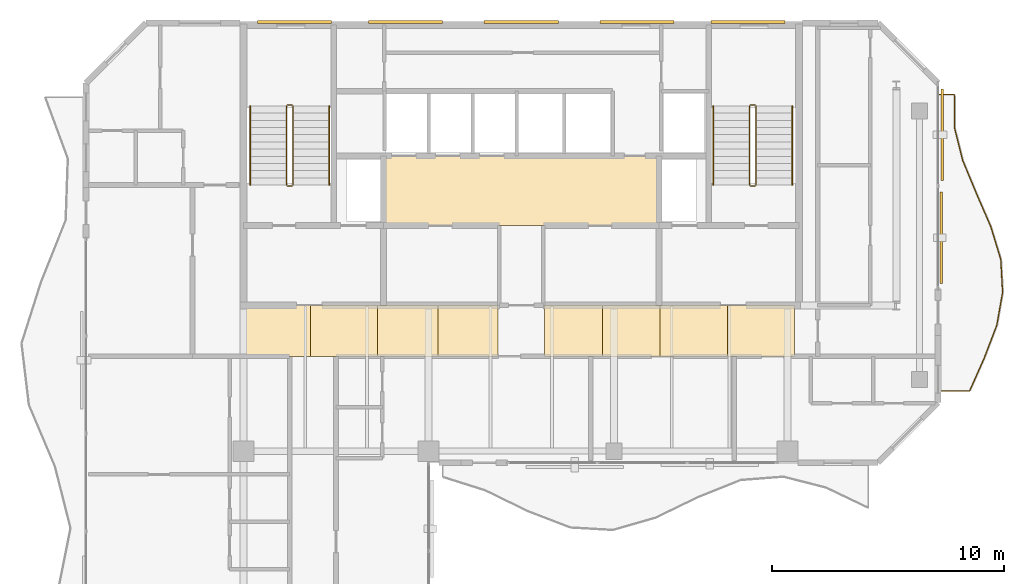
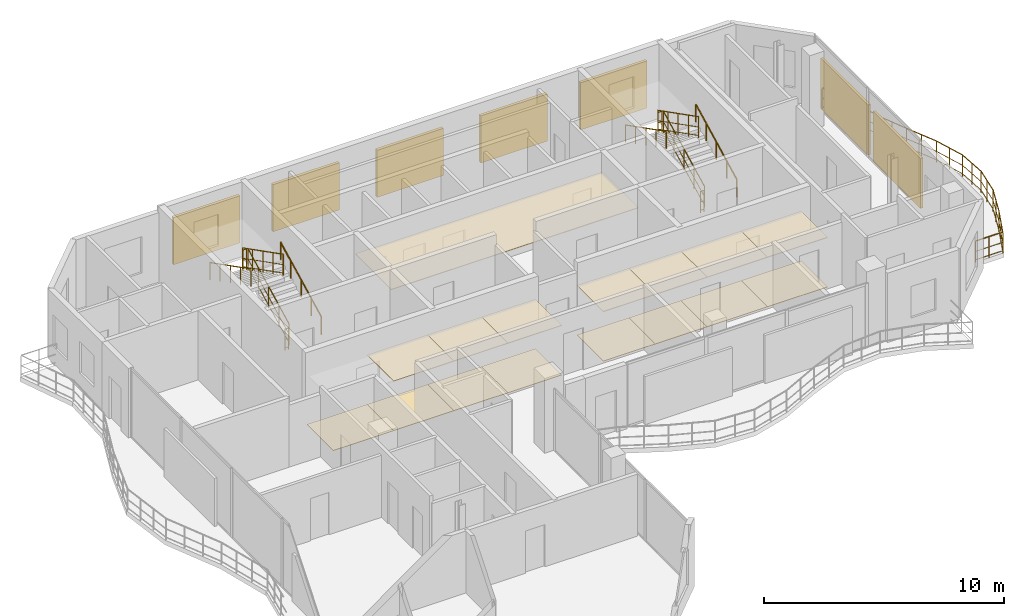
# One storey, part 17 of 17: 16 coverings, 13 railings, 7 shading devices.
"""IFC4 building model written with IfcOpenShell, lengths in metres."""

from ifc_helpers import new_model, si_unit, direction, frame, origin, origin_2d, place, context, subcontext, project, spatial, polyline, rectangle, circle, outline, extrude, material, layer, layer_set, type_object, element, save


model = new_model("IFC4")

# Units and contexts
model_context = context("Model", 3, precision=1e-05, world=origin(), true_north=direction((0.0, 1.0)))
body_context = subcontext(model_context, "Body", "Model", "MODEL_VIEW")
ifc_project = project(units=[si_unit("LENGTHUNIT", "METRE"), si_unit("AREAUNIT", "SQUARE_METRE"), si_unit("VOLUMEUNIT", "CUBIC_METRE"), si_unit("PLANEANGLEUNIT", "RADIAN"), si_unit("MASSUNIT", "GRAM", prefix="KILO")], contexts=[model_context])

# Site, building, storey
site_placement = place(None, origin())
site = spatial("IfcSite", under=ifc_project, at=site_placement, CompositionType="ELEMENT")
building_placement = place(site_placement, origin())
building = spatial("IfcBuilding", under=site, at=building_placement, Name="Catumbela Crestline Tower", CompositionType="ELEMENT")
storey_placement = place(building_placement, frame((0.0, 0.0, 267.8)))
storey = spatial("IfcBuildingStorey", under=building, at=storey_placement, Name="L69", CompositionType="ELEMENT", Elevation=267.8)

# Coverings
ifc_material_1 = material(Name="Mineral-fibre acoustic ceiling")
ifc_layer_1 = layer(ifc_material_1, 0.03, Name="Mineral-fibre acoustic ceiling")
ifc_layer_set_1 = layer_set([ifc_layer_1], Name="Mineral-fibre acoustic ceiling")
covering_type_1 = type_object("IfcCoveringType", Name="CC-AC", PredefinedType="CEILING", material=ifc_layer_set_1)
covering_1_placement = place(storey_placement, frame((0.0, 0.0, 2.65)))
element("IfcCovering", 1, at=covering_1_placement, inside=storey, type_object=covering_type_1, Name="L69 Lift Lobby Acoustic Ceiling", PredefinedType="CEILING", context=body_context, shape_type="SweptSolid", body=[
    extrude(outline(polyline([(22.05, 34.25), (33.95, 34.25), (33.95, 37.25), (22.05, 37.25), (22.05, 34.25)])), origin(), (0.0, 0.0, 1.0), 0.03),
])
covering_2_placement = place(storey_placement, frame((0.0, 0.0, 2.52)))
element("IfcCovering", 2, at=covering_2_placement, inside=storey, type_object=covering_type_1, Name="L69 Corridor Acoustic Ceiling Bay 2", PredefinedType="CEILING", context=body_context, shape_type="SweptSolid", body=[
    extrude(outline(polyline([(18.9, 28.6), (21.8, 28.6), (21.8, 30.8), (18.9, 30.8), (18.9, 28.6)])), origin(), (0.0, 0.0, 1.0), 0.03),
])
covering_3_placement = place(storey_placement, frame((0.0, 0.0, 2.52)))
element("IfcCovering", 3, at=covering_3_placement, inside=storey, type_object=covering_type_1, Name="L69 Corridor Acoustic Ceiling Bay 3", PredefinedType="CEILING", context=body_context, shape_type="SweptSolid", body=[
    extrude(outline(polyline([(21.8, 28.6), (24.4, 28.6), (24.4, 30.8), (21.8, 30.8), (21.8, 28.6)])), origin(), (0.0, 0.0, 1.0), 0.03),
])
covering_4_placement = place(storey_placement, frame((0.0, 0.0, 2.52)))
element("IfcCovering", 4, at=covering_4_placement, inside=storey, type_object=covering_type_1, Name="L69 Corridor Acoustic Ceiling Bay 4", PredefinedType="CEILING", context=body_context, shape_type="SweptSolid", body=[
    extrude(outline(polyline([(24.4, 28.6), (27.0, 28.6), (27.0, 30.8), (24.4, 30.8), (24.4, 28.6)])), origin(), (0.0, 0.0, 1.0), 0.03),
])
covering_5_placement = place(storey_placement, frame((0.0, 0.0, 2.52)))
element("IfcCovering", 5, at=covering_5_placement, inside=storey, type_object=covering_type_1, Name="L69 Corridor Acoustic Ceiling Bay 5", PredefinedType="CEILING", context=body_context, shape_type="SweptSolid", body=[
    extrude(outline(polyline([(29.0, 28.6), (31.5, 28.6), (31.5, 30.8), (29.0, 30.8), (29.0, 28.6)])), origin(), (0.0, 0.0, 1.0), 0.03),
])
covering_6_placement = place(storey_placement, frame((0.0, 0.0, 2.52)))
element("IfcCovering", 6, at=covering_6_placement, inside=storey, type_object=covering_type_1, Name="L69 Corridor Acoustic Ceiling Bay 6", PredefinedType="CEILING", context=body_context, shape_type="SweptSolid", body=[
    extrude(outline(polyline([(31.5, 28.6), (34.0, 28.6), (34.0, 30.8), (31.5, 30.8), (31.5, 28.6)])), origin(), (0.0, 0.0, 1.0), 0.03),
])
covering_7_placement = place(storey_placement, frame((0.0, 0.0, 2.52)))
element("IfcCovering", 7, at=covering_7_placement, inside=storey, type_object=covering_type_1, Name="L69 Corridor Acoustic Ceiling Bay 7", PredefinedType="CEILING", context=body_context, shape_type="SweptSolid", body=[
    extrude(outline(polyline([(34.0, 28.6), (36.9, 28.6), (36.9, 30.8), (34.0, 30.8), (34.0, 28.6)])), origin(), (0.0, 0.0, 1.0), 0.03),
])
covering_8_placement = place(storey_placement, frame((0.0, 0.0, 2.52)))
element("IfcCovering", 8, at=covering_8_placement, inside=storey, type_object=covering_type_1, Name="L69 Corridor Acoustic Ceiling Bay 8", PredefinedType="CEILING", context=body_context, shape_type="SweptSolid", body=[
    extrude(outline(polyline([(36.9, 28.6), (39.8, 28.6), (39.8, 30.8), (36.9, 30.8), (36.9, 28.6)])), origin(), (0.0, 0.0, 1.0), 0.03),
])
ifc_material_2 = material(Name="Angolan grey-ochre granite", Category="masonry")
ifc_layer_2 = layer(ifc_material_2, 0.025, Name="Angolan grey-ochre granite")
ifc_layer_set_2 = layer_set([ifc_layer_2], Name="Angolan grey-ochre granite")
covering_type_2 = type_object("IfcCoveringType", Name="CF-GR", PredefinedType="FLOORING", material=ifc_layer_set_2)
covering_9_placement = place(storey_placement, origin())
element("IfcCovering", 9, at=covering_9_placement, inside=storey, type_object=covering_type_2, Name="L69 Corridor Granite Flooring Bay 1", PredefinedType="FLOORING", context=body_context, shape_type="SweptSolid", body=[
    extrude(outline(polyline([(16.0, 28.6), (18.9, 28.6), (18.9, 30.8), (16.0, 30.8), (16.0, 28.6)])), origin(), (0.0, 0.0, 1.0), 0.025),
])
covering_10_placement = place(storey_placement, origin())
element("IfcCovering", 10, at=covering_10_placement, inside=storey, type_object=covering_type_2, Name="L69 Corridor Granite Flooring Bay 2", PredefinedType="FLOORING", context=body_context, shape_type="SweptSolid", body=[
    extrude(outline(polyline([(18.9, 28.6), (21.8, 28.6), (21.8, 30.8), (18.9, 30.8), (18.9, 28.6)])), origin(), (0.0, 0.0, 1.0), 0.025),
])
covering_11_placement = place(storey_placement, origin())
element("IfcCovering", 11, at=covering_11_placement, inside=storey, type_object=covering_type_2, Name="L69 Corridor Granite Flooring Bay 3", PredefinedType="FLOORING", context=body_context, shape_type="SweptSolid", body=[
    extrude(outline(polyline([(21.8, 28.6), (24.4, 28.6), (24.4, 30.8), (21.8, 30.8), (21.8, 28.6)])), origin(), (0.0, 0.0, 1.0), 0.025),
])
covering_12_placement = place(storey_placement, origin())
element("IfcCovering", 12, at=covering_12_placement, inside=storey, type_object=covering_type_2, Name="L69 Corridor Granite Flooring Bay 4", PredefinedType="FLOORING", context=body_context, shape_type="SweptSolid", body=[
    extrude(outline(polyline([(24.4, 28.6), (27.0, 28.6), (27.0, 30.8), (24.4, 30.8), (24.4, 28.6)])), origin(), (0.0, 0.0, 1.0), 0.025),
])
covering_13_placement = place(storey_placement, origin())
element("IfcCovering", 13, at=covering_13_placement, inside=storey, type_object=covering_type_2, Name="L69 Corridor Granite Flooring Bay 5", PredefinedType="FLOORING", context=body_context, shape_type="SweptSolid", body=[
    extrude(outline(polyline([(29.0, 28.6), (31.5, 28.6), (31.5, 30.8), (29.0, 30.8), (29.0, 28.6)])), origin(), (0.0, 0.0, 1.0), 0.025),
])
covering_14_placement = place(storey_placement, origin())
element("IfcCovering", 14, at=covering_14_placement, inside=storey, type_object=covering_type_2, Name="L69 Corridor Granite Flooring Bay 6", PredefinedType="FLOORING", context=body_context, shape_type="SweptSolid", body=[
    extrude(outline(polyline([(31.5, 28.6), (34.0, 28.6), (34.0, 30.8), (31.5, 30.8), (31.5, 28.6)])), origin(), (0.0, 0.0, 1.0), 0.025),
])
covering_15_placement = place(storey_placement, origin())
element("IfcCovering", 15, at=covering_15_placement, inside=storey, type_object=covering_type_2, Name="L69 Corridor Granite Flooring Bay 7", PredefinedType="FLOORING", context=body_context, shape_type="SweptSolid", body=[
    extrude(outline(polyline([(34.0, 28.6), (36.9, 28.6), (36.9, 30.8), (34.0, 30.8), (34.0, 28.6)])), origin(), (0.0, 0.0, 1.0), 0.025),
])
covering_16_placement = place(storey_placement, origin())
element("IfcCovering", 16, at=covering_16_placement, inside=storey, type_object=covering_type_2, Name="L69 Corridor Granite Flooring Bay 8", PredefinedType="FLOORING", context=body_context, shape_type="SweptSolid", body=[
    extrude(outline(polyline([(36.9, 28.6), (39.8, 28.6), (39.8, 30.8), (36.9, 30.8), (36.9, 28.6)])), origin(), (0.0, 0.0, 1.0), 0.025),
])

# Railings
ifc_material_3 = material(Name="Stainless steel EN 1.4401", Category="steel")
railing_type_1 = type_object("IfcRailingType", Name="RB-1100", PredefinedType="BALUSTRADE", material=ifc_material_3)
railing_1_placement = place(storey_placement, frame((46.06, 27.1, 0.0)))
element("IfcRailing", 17, at=railing_1_placement, inside=storey, type_object=railing_type_1, Name="L69 Private Wave Balcony Balustrade 2", PredefinedType="BALUSTRADE", context=body_context, shape_type="SweptSolid", body=[
    extrude(circle(Radius=0.024, at=origin_2d()), frame((0.0, 0.0, 1.076), z_axis=(1.0, 0.0, 0.0), x_axis=(0.0, 1.0, 0.0)), (0.0, 0.0, 1.0), 1.3029),
    extrude(circle(Radius=0.0156, at=origin_2d()), frame((0.0, 0.0, 0.55), z_axis=(1.0, 0.0, 0.0), x_axis=(0.0, 1.0, 0.0)), (0.0, 0.0, 1.0), 1.3029),
    extrude(circle(Radius=0.0156, at=origin_2d()), frame((0.0, 0.0, 0.12), z_axis=(1.0, 0.0, 0.0), x_axis=(0.0, 1.0, 0.0)), (0.0, 0.0, 1.0), 1.3029),
    extrude(circle(Radius=0.024, at=origin_2d()), frame((1.3029, 0.0, 1.076), z_axis=(0.406573528586, 0.913618063445, 0.0), x_axis=(-0.913618063445, 0.406573528586, 0.0)), (0.0, 0.0, 1.0), 1.5567),
    extrude(circle(Radius=0.0156, at=origin_2d()), frame((1.3029, 0.0, 0.55), z_axis=(0.406573528586, 0.913618063445, 0.0), x_axis=(-0.913618063445, 0.406573528586, 0.0)), (0.0, 0.0, 1.0), 1.5567),
    extrude(circle(Radius=0.0156, at=origin_2d()), frame((1.3029, 0.0, 0.12), z_axis=(0.406573528586, 0.913618063445, 0.0), x_axis=(-0.913618063445, 0.406573528586, 0.0)), (0.0, 0.0, 1.0), 1.5567),
    extrude(circle(Radius=0.024, at=origin_2d()), frame((1.9358, 1.4222, 1.076), z_axis=(0.357663105374, 0.933850685631, 0.0), x_axis=(-0.933850685631, 0.357663105374, 0.0)), (0.0, 0.0, 1.0), 1.5229),
    extrude(circle(Radius=0.0156, at=origin_2d()), frame((1.9358, 1.4222, 0.55), z_axis=(0.357663105374, 0.933850685631, 0.0), x_axis=(-0.933850685631, 0.357663105374, 0.0)), (0.0, 0.0, 1.0), 1.5229),
    extrude(circle(Radius=0.0156, at=origin_2d()), frame((1.9358, 1.4222, 0.12), z_axis=(0.357663105374, 0.933850685631, 0.0), x_axis=(-0.933850685631, 0.357663105374, 0.0)), (0.0, 0.0, 1.0), 1.5229),
    extrude(circle(Radius=0.024, at=origin_2d()), frame((2.4805, 2.8444, 1.076), z_axis=(0.172781798137, 0.984960126214, 0.0), x_axis=(-0.984960126214, 0.172781798137, 0.0)), (0.0, 0.0, 1.0), 1.444),
    extrude(circle(Radius=0.0156, at=origin_2d()), frame((2.4805, 2.8444, 0.55), z_axis=(0.172781798137, 0.984960126214, 0.0), x_axis=(-0.984960126214, 0.172781798137, 0.0)), (0.0, 0.0, 1.0), 1.444),
    extrude(circle(Radius=0.0156, at=origin_2d()), frame((2.4805, 2.8444, 0.12), z_axis=(0.172781798137, 0.984960126214, 0.0), x_axis=(-0.984960126214, 0.172781798137, 0.0)), (0.0, 0.0, 1.0), 1.444),
    extrude(circle(Radius=0.024, at=origin_2d()), frame((2.73, 4.2667, 1.076), z_axis=(-0.056232076902, 0.998417724967, 0.0), x_axis=(-0.998417724967, -0.056232076902, 0.0)), (0.0, 0.0, 1.0), 1.4245),
    extrude(circle(Radius=0.0156, at=origin_2d()), frame((2.73, 4.2667, 0.55), z_axis=(-0.056232076902, 0.998417724967, 0.0), x_axis=(-0.998417724967, -0.056232076902, 0.0)), (0.0, 0.0, 1.0), 1.4245),
    extrude(circle(Radius=0.0156, at=origin_2d()), frame((2.73, 4.2667, 0.12), z_axis=(-0.056232076902, 0.998417724967, 0.0), x_axis=(-0.998417724967, -0.056232076902, 0.0)), (0.0, 0.0, 1.0), 1.4245),
    extrude(circle(Radius=0.024, at=origin_2d()), frame((2.6499, 5.6889, 1.076), z_axis=(-0.291688797242, 0.956513275163, 0.0), x_axis=(-0.956513275163, -0.291688797242, 0.0)), (0.0, 0.0, 1.0), 1.4869),
    extrude(circle(Radius=0.0156, at=origin_2d()), frame((2.6499, 5.6889, 0.55), z_axis=(-0.291688797242, 0.956513275163, 0.0), x_axis=(-0.956513275163, -0.291688797242, 0.0)), (0.0, 0.0, 1.0), 1.4869),
    extrude(circle(Radius=0.0156, at=origin_2d()), frame((2.6499, 5.6889, 0.12), z_axis=(-0.291688797242, 0.956513275163, 0.0), x_axis=(-0.956513275163, -0.291688797242, 0.0)), (0.0, 0.0, 1.0), 1.4869),
    extrude(circle(Radius=0.024, at=origin_2d()), frame((2.2162, 7.1111, 1.076), z_axis=(-0.398754405231, 0.917057754075, 0.0), x_axis=(-0.917057754075, -0.398754405231, 0.0)), (0.0, 0.0, 1.0), 1.5508),
    extrude(circle(Radius=0.0156, at=origin_2d()), frame((2.2162, 7.1111, 0.55), z_axis=(-0.398754405231, 0.917057754075, 0.0), x_axis=(-0.917057754075, -0.398754405231, 0.0)), (0.0, 0.0, 1.0), 1.5508),
    extrude(circle(Radius=0.0156, at=origin_2d()), frame((2.2162, 7.1111, 0.12), z_axis=(-0.398754405231, 0.917057754075, 0.0), x_axis=(-0.917057754075, -0.398754405231, 0.0)), (0.0, 0.0, 1.0), 1.5508),
    extrude(circle(Radius=0.024, at=origin_2d()), frame((1.5978, 8.5333, 1.076), z_axis=(-0.38321774855, 0.92365803044, 0.0), x_axis=(-0.92365803044, -0.38321774855, 0.0)), (0.0, 0.0, 1.0), 1.5399),
    extrude(circle(Radius=0.0156, at=origin_2d()), frame((1.5978, 8.5333, 0.55), z_axis=(-0.38321774855, 0.92365803044, 0.0), x_axis=(-0.92365803044, -0.38321774855, 0.0)), (0.0, 0.0, 1.0), 1.5399),
    extrude(circle(Radius=0.0156, at=origin_2d()), frame((1.5978, 8.5333, 0.12), z_axis=(-0.38321774855, 0.92365803044, 0.0), x_axis=(-0.92365803044, -0.38321774855, 0.0)), (0.0, 0.0, 1.0), 1.5399),
    extrude(circle(Radius=0.024, at=origin_2d()), frame((1.0077, 9.9556, 1.076), z_axis=(-0.244428183287, 0.969667398243, 0.0), x_axis=(-0.969667398243, -0.244428183287, 0.0)), (0.0, 0.0, 1.0), 1.4667),
    extrude(circle(Radius=0.0156, at=origin_2d()), frame((1.0077, 9.9556, 0.55), z_axis=(-0.244428183287, 0.969667398243, 0.0), x_axis=(-0.969667398243, -0.244428183287, 0.0)), (0.0, 0.0, 1.0), 1.4667),
    extrude(circle(Radius=0.0156, at=origin_2d()), frame((1.0077, 9.9556, 0.12), z_axis=(-0.244428183287, 0.969667398243, 0.0), x_axis=(-0.969667398243, -0.244428183287, 0.0)), (0.0, 0.0, 1.0), 1.4667),
    extrude(circle(Radius=0.024, at=origin_2d()), frame((0.6492, 11.3778, 1.076), z_axis=(-0.002320342509, 0.999997308002, 0.0), x_axis=(-0.999997308002, -0.002320342509, 0.0)), (0.0, 0.0, 1.0), 1.4222),
    extrude(circle(Radius=0.0156, at=origin_2d()), frame((0.6492, 11.3778, 0.55), z_axis=(-0.002320342509, 0.999997308002, 0.0), x_axis=(-0.999997308002, -0.002320342509, 0.0)), (0.0, 0.0, 1.0), 1.4222),
    extrude(circle(Radius=0.0156, at=origin_2d()), frame((0.6492, 11.3778, 0.12), z_axis=(-0.002320342509, 0.999997308002, 0.0), x_axis=(-0.999997308002, -0.002320342509, 0.0)), (0.0, 0.0, 1.0), 1.4222),
    extrude(circle(Radius=0.024, at=origin_2d()), frame((0.6459, 12.8, 1.076), z_axis=(-1.0, 0.0, 0.0), x_axis=(0.0, -1.0, 0.0)), (0.0, 0.0, 1.0), 0.6459),
    extrude(circle(Radius=0.0156, at=origin_2d()), frame((0.6459, 12.8, 0.55), z_axis=(-1.0, 0.0, 0.0), x_axis=(0.0, -1.0, 0.0)), (0.0, 0.0, 1.0), 0.6459),
    extrude(circle(Radius=0.0156, at=origin_2d()), frame((0.6459, 12.8, 0.12), z_axis=(-1.0, 0.0, 0.0), x_axis=(0.0, -1.0, 0.0)), (0.0, 0.0, 1.0), 0.6459),
    extrude(circle(Radius=0.021, at=origin_2d()), origin(), (0.0, 0.0, 1.0), 1.052),
    extrude(circle(Radius=0.021, at=origin_2d()), frame((0.6515, 0.0, 0.0)), (0.0, 0.0, 1.0), 1.052),
    extrude(circle(Radius=0.021, at=origin_2d()), frame((1.3029, 0.0, 0.0)), (0.0, 0.0, 1.0), 1.052),
    extrude(circle(Radius=0.021, at=origin_2d()), frame((1.6194, 0.7111, 0.0)), (0.0, 0.0, 1.0), 1.052),
    extrude(circle(Radius=0.021, at=origin_2d()), frame((1.9358, 1.4222, 0.0)), (0.0, 0.0, 1.0), 1.052),
    extrude(circle(Radius=0.021, at=origin_2d()), frame((2.2082, 2.1333, 0.0)), (0.0, 0.0, 1.0), 1.052),
    extrude(circle(Radius=0.021, at=origin_2d()), frame((2.4805, 2.8444, 0.0)), (0.0, 0.0, 1.0), 1.052),
    extrude(circle(Radius=0.021, at=origin_2d()), frame((2.6052, 3.5556, 0.0)), (0.0, 0.0, 1.0), 1.052),
    extrude(circle(Radius=0.021, at=origin_2d()), frame((2.73, 4.2667, 0.0)), (0.0, 0.0, 1.0), 1.052),
    extrude(circle(Radius=0.021, at=origin_2d()), frame((2.6899, 4.9778, 0.0)), (0.0, 0.0, 1.0), 1.052),
    extrude(circle(Radius=0.021, at=origin_2d()), frame((2.6499, 5.6889, 0.0)), (0.0, 0.0, 1.0), 1.052),
    extrude(circle(Radius=0.021, at=origin_2d()), frame((2.433, 6.4, 0.0)), (0.0, 0.0, 1.0), 1.052),
    extrude(circle(Radius=0.021, at=origin_2d()), frame((2.2162, 7.1111, 0.0)), (0.0, 0.0, 1.0), 1.052),
    extrude(circle(Radius=0.021, at=origin_2d()), frame((1.907, 7.8222, 0.0)), (0.0, 0.0, 1.0), 1.052),
    extrude(circle(Radius=0.021, at=origin_2d()), frame((1.5978, 8.5333, 0.0)), (0.0, 0.0, 1.0), 1.052),
    extrude(circle(Radius=0.021, at=origin_2d()), frame((1.3027, 9.2444, 0.0)), (0.0, 0.0, 1.0), 1.052),
    extrude(circle(Radius=0.021, at=origin_2d()), frame((1.0077, 9.9556, 0.0)), (0.0, 0.0, 1.0), 1.052),
    extrude(circle(Radius=0.021, at=origin_2d()), frame((0.8285, 10.6667, 0.0)), (0.0, 0.0, 1.0), 1.052),
    extrude(circle(Radius=0.021, at=origin_2d()), frame((0.6492, 11.3778, 0.0)), (0.0, 0.0, 1.0), 1.052),
    extrude(circle(Radius=0.021, at=origin_2d()), frame((0.6475, 12.0889, 0.0)), (0.0, 0.0, 1.0), 1.052),
    extrude(circle(Radius=0.021, at=origin_2d()), frame((0.6459, 12.8, 0.0)), (0.0, 0.0, 1.0), 1.052),
    extrude(circle(Radius=0.021, at=origin_2d()), frame((0.0, 12.8, 0.0)), (0.0, 0.0, 1.0), 1.052),
])
railing_type_2 = type_object("IfcRailingType", Name="RG-1100", PredefinedType="GUARDRAIL", material=ifc_material_3)
railing_2_placement = place(storey_placement, frame((18.14, 36.0, 0.1583)))
element("IfcRailing", 18, at=railing_2_placement, inside=storey, type_object=railing_type_2, Name="L69 ST-01 stair guard 1", PredefinedType="GUARDRAIL", context=body_context, shape_type="SweptSolid", body=[
    extrude(circle(Radius=0.024, at=origin_2d()), frame((0.0, 0.0, 1.076), z_axis=(0.0, 0.890560473983, 0.454864861447), x_axis=(-1.0, 0.0, 0.0)), (0.0, 0.0, 1.0), 3.829),
    extrude(circle(Radius=0.0156, at=origin_2d()), frame((0.0, 0.0, 0.55), z_axis=(0.0, 0.890560473983, 0.454864861447), x_axis=(-1.0, 0.0, 0.0)), (0.0, 0.0, 1.0), 3.829),
    extrude(circle(Radius=0.0156, at=origin_2d()), frame((0.0, 0.0, 0.12), z_axis=(0.0, 0.890560473983, 0.454864861447), x_axis=(-1.0, 0.0, 0.0)), (0.0, 0.0, 1.0), 3.829),
    extrude(circle(Radius=0.021, at=origin_2d()), origin(), (0.0, 0.0, 1.0), 1.052),
    extrude(circle(Radius=0.021, at=origin_2d()), frame((0.0, 0.8525, 0.4354)), (0.0, 0.0, 1.0), 1.052),
    extrude(circle(Radius=0.021, at=origin_2d()), frame((0.0, 1.705, 0.8708)), (0.0, 0.0, 1.0), 1.052),
    extrude(circle(Radius=0.021, at=origin_2d()), frame((0.0, 2.5575, 1.3063)), (0.0, 0.0, 1.0), 1.052),
    extrude(circle(Radius=0.021, at=origin_2d()), frame((0.0, 3.41, 1.7417)), (0.0, 0.0, 1.0), 1.052),
])
railing_3_placement = place(storey_placement, frame((18.09, 39.46, 1.9)))
element("IfcRailing", 19, at=railing_3_placement, inside=storey, type_object=railing_type_2, Name="L69 ST-01 stair guard 2", PredefinedType="GUARDRAIL", context=body_context, shape_type="SweptSolid", body=[
    extrude(circle(Radius=0.024, at=origin_2d()), frame((0.0, 0.0, 1.076), z_axis=(-1.0, 0.0, 0.0), x_axis=(0.0, -1.0, 0.0)), (0.0, 0.0, 1.0), 0.18),
    extrude(circle(Radius=0.0156, at=origin_2d()), frame((0.0, 0.0, 0.55), z_axis=(-1.0, 0.0, 0.0), x_axis=(0.0, -1.0, 0.0)), (0.0, 0.0, 1.0), 0.18),
    extrude(circle(Radius=0.0156, at=origin_2d()), frame((0.0, 0.0, 0.12), z_axis=(-1.0, 0.0, 0.0), x_axis=(0.0, -1.0, 0.0)), (0.0, 0.0, 1.0), 0.18),
    extrude(circle(Radius=0.021, at=origin_2d()), origin(), (0.0, 0.0, 1.0), 1.052),
    extrude(circle(Radius=0.021, at=origin_2d()), frame((-0.18, 0.0, 0.0)), (0.0, 0.0, 1.0), 1.052),
])
railing_4_placement = place(storey_placement, frame((17.86, 39.41, 2.0583)))
element("IfcRailing", 20, at=railing_4_placement, inside=storey, type_object=railing_type_2, Name="L69 ST-01 stair guard 3", PredefinedType="GUARDRAIL", context=body_context, shape_type="SweptSolid", body=[
    extrude(circle(Radius=0.024, at=origin_2d()), frame((0.0, 0.0, 1.076), z_axis=(0.0, -0.890560473983, 0.454864861447), x_axis=(1.0, 0.0, 0.0)), (0.0, 0.0, 1.0), 3.829),
    extrude(circle(Radius=0.0156, at=origin_2d()), frame((0.0, 0.0, 0.55), z_axis=(0.0, -0.890560473983, 0.454864861447), x_axis=(1.0, 0.0, 0.0)), (0.0, 0.0, 1.0), 3.829),
    extrude(circle(Radius=0.0156, at=origin_2d()), frame((0.0, 0.0, 0.12), z_axis=(0.0, -0.890560473983, 0.454864861447), x_axis=(1.0, 0.0, 0.0)), (0.0, 0.0, 1.0), 3.829),
    extrude(circle(Radius=0.021, at=origin_2d()), origin(), (0.0, 0.0, 1.0), 1.052),
    extrude(circle(Radius=0.021, at=origin_2d()), frame((0.0, -0.8525, 0.4354)), (0.0, 0.0, 1.0), 1.052),
    extrude(circle(Radius=0.021, at=origin_2d()), frame((0.0, -1.705, 0.8709)), (0.0, 0.0, 1.0), 1.052),
    extrude(circle(Radius=0.021, at=origin_2d()), frame((0.0, -2.5575, 1.3063)), (0.0, 0.0, 1.0), 1.052),
    extrude(circle(Radius=0.021, at=origin_2d()), frame((0.0, -3.41, 1.7417)), (0.0, 0.0, 1.0), 1.052),
])
railing_5_placement = place(storey_placement, frame((18.09, 35.95, 0.0)))
element("IfcRailing", 21, at=railing_5_placement, inside=storey, type_object=railing_type_2, Name="L69 ST-01 stair guard 4", PredefinedType="GUARDRAIL", context=body_context, shape_type="SweptSolid", body=[
    extrude(circle(Radius=0.024, at=origin_2d()), frame((0.0, 0.0, 1.076), z_axis=(-1.0, 0.0, 0.0), x_axis=(0.0, -1.0, 0.0)), (0.0, 0.0, 1.0), 0.18),
    extrude(circle(Radius=0.0156, at=origin_2d()), frame((0.0, 0.0, 0.55), z_axis=(-1.0, 0.0, 0.0), x_axis=(0.0, -1.0, 0.0)), (0.0, 0.0, 1.0), 0.18),
    extrude(circle(Radius=0.0156, at=origin_2d()), frame((0.0, 0.0, 0.12), z_axis=(-1.0, 0.0, 0.0), x_axis=(0.0, -1.0, 0.0)), (0.0, 0.0, 1.0), 0.18),
    extrude(circle(Radius=0.021, at=origin_2d()), origin(), (0.0, 0.0, 1.0), 1.052),
    extrude(circle(Radius=0.021, at=origin_2d()), frame((-0.18, 0.0, 0.0)), (0.0, 0.0, 1.0), 1.052),
])
railing_6_placement = place(storey_placement, frame((38.14, 36.0, 0.1583)))
element("IfcRailing", 22, at=railing_6_placement, inside=storey, type_object=railing_type_2, Name="L69 ST-02 stair guard 1", PredefinedType="GUARDRAIL", context=body_context, shape_type="SweptSolid", body=[
    extrude(circle(Radius=0.024, at=origin_2d()), frame((0.0, 0.0, 1.076), z_axis=(0.0, 0.890560473983, 0.454864861447), x_axis=(-1.0, 0.0, 0.0)), (0.0, 0.0, 1.0), 3.829),
    extrude(circle(Radius=0.0156, at=origin_2d()), frame((0.0, 0.0, 0.55), z_axis=(0.0, 0.890560473983, 0.454864861447), x_axis=(-1.0, 0.0, 0.0)), (0.0, 0.0, 1.0), 3.829),
    extrude(circle(Radius=0.0156, at=origin_2d()), frame((0.0, 0.0, 0.12), z_axis=(0.0, 0.890560473983, 0.454864861447), x_axis=(-1.0, 0.0, 0.0)), (0.0, 0.0, 1.0), 3.829),
    extrude(circle(Radius=0.021, at=origin_2d()), origin(), (0.0, 0.0, 1.0), 1.052),
    extrude(circle(Radius=0.021, at=origin_2d()), frame((0.0, 0.8525, 0.4354)), (0.0, 0.0, 1.0), 1.052),
    extrude(circle(Radius=0.021, at=origin_2d()), frame((0.0, 1.705, 0.8708)), (0.0, 0.0, 1.0), 1.052),
    extrude(circle(Radius=0.021, at=origin_2d()), frame((0.0, 2.5575, 1.3063)), (0.0, 0.0, 1.0), 1.052),
    extrude(circle(Radius=0.021, at=origin_2d()), frame((0.0, 3.41, 1.7417)), (0.0, 0.0, 1.0), 1.052),
])
railing_7_placement = place(storey_placement, frame((38.09, 39.46, 1.9)))
element("IfcRailing", 23, at=railing_7_placement, inside=storey, type_object=railing_type_2, Name="L69 ST-02 stair guard 2", PredefinedType="GUARDRAIL", context=body_context, shape_type="SweptSolid", body=[
    extrude(circle(Radius=0.024, at=origin_2d()), frame((0.0, 0.0, 1.076), z_axis=(-1.0, 0.0, 0.0), x_axis=(0.0, -1.0, 0.0)), (0.0, 0.0, 1.0), 0.18),
    extrude(circle(Radius=0.0156, at=origin_2d()), frame((0.0, 0.0, 0.55), z_axis=(-1.0, 0.0, 0.0), x_axis=(0.0, -1.0, 0.0)), (0.0, 0.0, 1.0), 0.18),
    extrude(circle(Radius=0.0156, at=origin_2d()), frame((0.0, 0.0, 0.12), z_axis=(-1.0, 0.0, 0.0), x_axis=(0.0, -1.0, 0.0)), (0.0, 0.0, 1.0), 0.18),
    extrude(circle(Radius=0.021, at=origin_2d()), origin(), (0.0, 0.0, 1.0), 1.052),
    extrude(circle(Radius=0.021, at=origin_2d()), frame((-0.18, 0.0, 0.0)), (0.0, 0.0, 1.0), 1.052),
])
railing_8_placement = place(storey_placement, frame((37.86, 39.41, 2.0583)))
element("IfcRailing", 24, at=railing_8_placement, inside=storey, type_object=railing_type_2, Name="L69 ST-02 stair guard 3", PredefinedType="GUARDRAIL", context=body_context, shape_type="SweptSolid", body=[
    extrude(circle(Radius=0.024, at=origin_2d()), frame((0.0, 0.0, 1.076), z_axis=(0.0, -0.890560473983, 0.454864861447), x_axis=(1.0, 0.0, 0.0)), (0.0, 0.0, 1.0), 3.829),
    extrude(circle(Radius=0.0156, at=origin_2d()), frame((0.0, 0.0, 0.55), z_axis=(0.0, -0.890560473983, 0.454864861447), x_axis=(1.0, 0.0, 0.0)), (0.0, 0.0, 1.0), 3.829),
    extrude(circle(Radius=0.0156, at=origin_2d()), frame((0.0, 0.0, 0.12), z_axis=(0.0, -0.890560473983, 0.454864861447), x_axis=(1.0, 0.0, 0.0)), (0.0, 0.0, 1.0), 3.829),
    extrude(circle(Radius=0.021, at=origin_2d()), origin(), (0.0, 0.0, 1.0), 1.052),
    extrude(circle(Radius=0.021, at=origin_2d()), frame((0.0, -0.8525, 0.4354)), (0.0, 0.0, 1.0), 1.052),
    extrude(circle(Radius=0.021, at=origin_2d()), frame((0.0, -1.705, 0.8709)), (0.0, 0.0, 1.0), 1.052),
    extrude(circle(Radius=0.021, at=origin_2d()), frame((0.0, -2.5575, 1.3063)), (0.0, 0.0, 1.0), 1.052),
    extrude(circle(Radius=0.021, at=origin_2d()), frame((0.0, -3.41, 1.7417)), (0.0, 0.0, 1.0), 1.052),
])
railing_9_placement = place(storey_placement, frame((38.09, 35.95, 0.0)))
element("IfcRailing", 25, at=railing_9_placement, inside=storey, type_object=railing_type_2, Name="L69 ST-02 stair guard 4", PredefinedType="GUARDRAIL", context=body_context, shape_type="SweptSolid", body=[
    extrude(circle(Radius=0.024, at=origin_2d()), frame((0.0, 0.0, 1.076), z_axis=(-1.0, 0.0, 0.0), x_axis=(0.0, -1.0, 0.0)), (0.0, 0.0, 1.0), 0.18),
    extrude(circle(Radius=0.0156, at=origin_2d()), frame((0.0, 0.0, 0.55), z_axis=(-1.0, 0.0, 0.0), x_axis=(0.0, -1.0, 0.0)), (0.0, 0.0, 1.0), 0.18),
    extrude(circle(Radius=0.0156, at=origin_2d()), frame((0.0, 0.0, 0.12), z_axis=(-1.0, 0.0, 0.0), x_axis=(0.0, -1.0, 0.0)), (0.0, 0.0, 1.0), 0.18),
    extrude(circle(Radius=0.021, at=origin_2d()), origin(), (0.0, 0.0, 1.0), 1.052),
    extrude(circle(Radius=0.021, at=origin_2d()), frame((-0.18, 0.0, 0.0)), (0.0, 0.0, 1.0), 1.052),
])
railing_type_3 = type_object("IfcRailingType", Name="RH-0900", PredefinedType="HANDRAIL", material=ifc_material_3)
railing_10_placement = place(storey_placement, frame((19.7, 36.0, 0.1583)))
element("IfcRailing", 26, at=railing_10_placement, inside=storey, type_object=railing_type_3, Name="L69 ST-01 stair handrail 1", PredefinedType="HANDRAIL", context=body_context, shape_type="SweptSolid", body=[
    extrude(circle(Radius=0.024, at=origin_2d()), frame((0.0, 0.0, 0.876), z_axis=(0.0, 0.890560473983, 0.454864861447), x_axis=(-1.0, 0.0, 0.0)), (0.0, 0.0, 1.0), 3.829),
    extrude(circle(Radius=0.021, at=origin_2d()), origin(), (0.0, 0.0, 1.0), 0.852),
    extrude(circle(Radius=0.021, at=origin_2d()), frame((0.0, 0.8525, 0.4354)), (0.0, 0.0, 1.0), 0.852),
    extrude(circle(Radius=0.021, at=origin_2d()), frame((0.0, 1.705, 0.8708)), (0.0, 0.0, 1.0), 0.852),
    extrude(circle(Radius=0.021, at=origin_2d()), frame((0.0, 2.5575, 1.3063)), (0.0, 0.0, 1.0), 0.852),
    extrude(circle(Radius=0.021, at=origin_2d()), frame((0.0, 3.41, 1.7417)), (0.0, 0.0, 1.0), 0.852),
])
railing_11_placement = place(storey_placement, frame((16.3, 39.41, 2.0583)))
element("IfcRailing", 27, at=railing_11_placement, inside=storey, type_object=railing_type_3, Name="L69 ST-01 stair handrail 2", PredefinedType="HANDRAIL", context=body_context, shape_type="SweptSolid", body=[
    extrude(circle(Radius=0.024, at=origin_2d()), frame((0.0, 0.0, 0.876), z_axis=(0.0, -0.890560473983, 0.454864861447), x_axis=(1.0, 0.0, 0.0)), (0.0, 0.0, 1.0), 3.829),
    extrude(circle(Radius=0.021, at=origin_2d()), origin(), (0.0, 0.0, 1.0), 0.852),
    extrude(circle(Radius=0.021, at=origin_2d()), frame((0.0, -0.8525, 0.4354)), (0.0, 0.0, 1.0), 0.852),
    extrude(circle(Radius=0.021, at=origin_2d()), frame((0.0, -1.705, 0.8709)), (0.0, 0.0, 1.0), 0.852),
    extrude(circle(Radius=0.021, at=origin_2d()), frame((0.0, -2.5575, 1.3063)), (0.0, 0.0, 1.0), 0.852),
    extrude(circle(Radius=0.021, at=origin_2d()), frame((0.0, -3.41, 1.7417)), (0.0, 0.0, 1.0), 0.852),
])
railing_12_placement = place(storey_placement, frame((39.7, 36.0, 0.1583)))
element("IfcRailing", 28, at=railing_12_placement, inside=storey, type_object=railing_type_3, Name="L69 ST-02 stair handrail 1", PredefinedType="HANDRAIL", context=body_context, shape_type="SweptSolid", body=[
    extrude(circle(Radius=0.024, at=origin_2d()), frame((0.0, 0.0, 0.876), z_axis=(0.0, 0.890560473983, 0.454864861447), x_axis=(-1.0, 0.0, 0.0)), (0.0, 0.0, 1.0), 3.829),
    extrude(circle(Radius=0.021, at=origin_2d()), origin(), (0.0, 0.0, 1.0), 0.852),
    extrude(circle(Radius=0.021, at=origin_2d()), frame((0.0, 0.8525, 0.4354)), (0.0, 0.0, 1.0), 0.852),
    extrude(circle(Radius=0.021, at=origin_2d()), frame((0.0, 1.705, 0.8708)), (0.0, 0.0, 1.0), 0.852),
    extrude(circle(Radius=0.021, at=origin_2d()), frame((0.0, 2.5575, 1.3063)), (0.0, 0.0, 1.0), 0.852),
    extrude(circle(Radius=0.021, at=origin_2d()), frame((0.0, 3.41, 1.7417)), (0.0, 0.0, 1.0), 0.852),
])
railing_13_placement = place(storey_placement, frame((36.3, 39.41, 2.0583)))
element("IfcRailing", 29, at=railing_13_placement, inside=storey, type_object=railing_type_3, Name="L69 ST-02 stair handrail 2", PredefinedType="HANDRAIL", context=body_context, shape_type="SweptSolid", body=[
    extrude(circle(Radius=0.024, at=origin_2d()), frame((0.0, 0.0, 0.876), z_axis=(0.0, -0.890560473983, 0.454864861447), x_axis=(1.0, 0.0, 0.0)), (0.0, 0.0, 1.0), 3.829),
    extrude(circle(Radius=0.021, at=origin_2d()), origin(), (0.0, 0.0, 1.0), 0.852),
    extrude(circle(Radius=0.021, at=origin_2d()), frame((0.0, -0.8525, 0.4354)), (0.0, 0.0, 1.0), 0.852),
    extrude(circle(Radius=0.021, at=origin_2d()), frame((0.0, -1.705, 0.8709)), (0.0, 0.0, 1.0), 0.852),
    extrude(circle(Radius=0.021, at=origin_2d()), frame((0.0, -2.5575, 1.3063)), (0.0, 0.0, 1.0), 0.852),
    extrude(circle(Radius=0.021, at=origin_2d()), frame((0.0, -3.41, 1.7417)), (0.0, 0.0, 1.0), 0.852),
])

# Shading devices
ifc_material_4 = material(Name="Extruded terracotta ceramic", Category="masonry")
shading_device_type_1 = type_object("IfcShadingDeviceType", Name="ST-180", PredefinedType="USERDEFINED", material=ifc_material_4)
shading_device_1_placement = place(storey_placement, frame((23.0, 43.04, 0.55), z_axis=(0.0, 0.0, 1.0), x_axis=(1.0, 0.0, 0.0)))
element("IfcShadingDevice", 30, at=shading_device_1_placement, inside=storey, type_object=shading_device_type_1, Name="L69 Rear Core Terracotta Brise-Soleil Screen 841", ObjectType="SCREEN", PredefinedType="USERDEFINED", context=body_context, shape_type="SweptSolid", body=[
    extrude(rectangle(XDim=3.2, YDim=0.14, at=origin_2d()), origin(), (0.0, 0.0, 1.0), 2.4),
])
shading_device_type_2 = type_object("IfcShadingDeviceType", Name="ST-260", PredefinedType="USERDEFINED", material=ifc_material_4)
for number, where, z_axis, x_axis, name in (
    (31, (18.2, 43.04, 0.55), (0.0, 0.0, 1.0), (1.0, 0.0, 0.0), "L69 Rear Core Terracotta Brise-Soleil Screen 840"),
    (32, (33.0, 43.04, 0.55), (0.0, 0.0, 1.0), (1.0, 0.0, 0.0), "L69 Rear Core Terracotta Brise-Soleil Screen 843"),
):
    element("IfcShadingDevice", number, at=place(storey_placement, frame(where, z_axis=z_axis, x_axis=x_axis)), inside=storey, type_object=shading_device_type_2, Name=name, ObjectType="SCREEN", PredefinedType="USERDEFINED", context=body_context, shape_type="SweptSolid", body=[
        extrude(rectangle(XDim=3.2, YDim=0.14, at=origin_2d()), origin(), (0.0, 0.0, 1.0), 2.4),
    ])
shading_device_2_placement = place(storey_placement, frame((46.143, 33.725, -0.1), z_axis=(0.0, 0.0, 1.0), x_axis=(0.0, 1.0, 0.0)))
element("IfcShadingDevice", 33, at=shading_device_2_placement, inside=storey, type_object=shading_device_type_2, Name="L69 Perforated Terracotta Solar Screen 850 (260 mm)", ObjectType="SCREEN", PredefinedType="USERDEFINED", context=body_context, shape_type="SweptSolid", body=[
    extrude(rectangle(XDim=3.96, YDim=0.12, at=origin_2d()), origin(), (0.0, 0.0, 1.0), 2.55),
])
shading_device_type_3 = type_object("IfcShadingDeviceType", Name="ST-340", PredefinedType="USERDEFINED", material=ifc_material_4)
for number, where, z_axis, x_axis, name in (
    (34, (28.0, 43.04, 0.55), (0.0, 0.0, 1.0), (1.0, 0.0, 0.0), "L69 Rear Core Terracotta Brise-Soleil Screen 842"),
    (35, (37.8, 43.04, 0.55), (0.0, 0.0, 1.0), (1.0, 0.0, 0.0), "L69 Rear Core Terracotta Brise-Soleil Screen 844"),
):
    element("IfcShadingDevice", number, at=place(storey_placement, frame(where, z_axis=z_axis, x_axis=x_axis)), inside=storey, type_object=shading_device_type_3, Name=name, ObjectType="SCREEN", PredefinedType="USERDEFINED", context=body_context, shape_type="SweptSolid", body=[
        extrude(rectangle(XDim=3.2, YDim=0.14, at=origin_2d()), origin(), (0.0, 0.0, 1.0), 2.4),
    ])
shading_device_3_placement = place(storey_placement, frame((46.187, 38.175, -0.1), z_axis=(0.0, 0.0, 1.0), x_axis=(0.0, 1.0, 0.0)))
element("IfcShadingDevice", 36, at=shading_device_3_placement, inside=storey, type_object=shading_device_type_3, Name="L69 Perforated Terracotta Solar Screen 851 (340 mm)", ObjectType="SCREEN", PredefinedType="USERDEFINED", context=body_context, shape_type="SweptSolid", body=[
    extrude(rectangle(XDim=3.96, YDim=0.12, at=origin_2d()), origin(), (0.0, 0.0, 1.0), 2.55),
])

save(model, "model.ifc")
